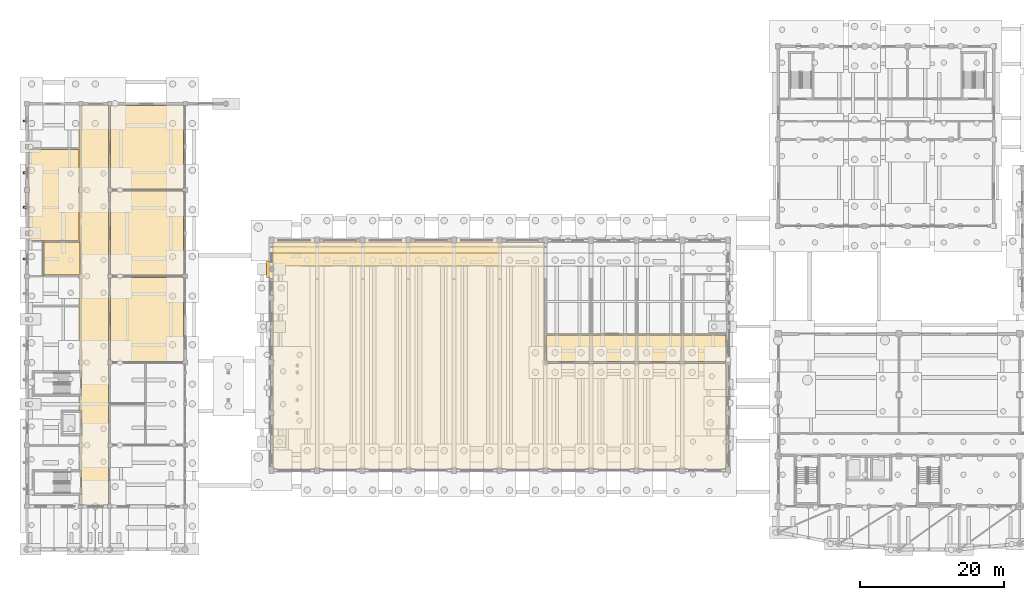
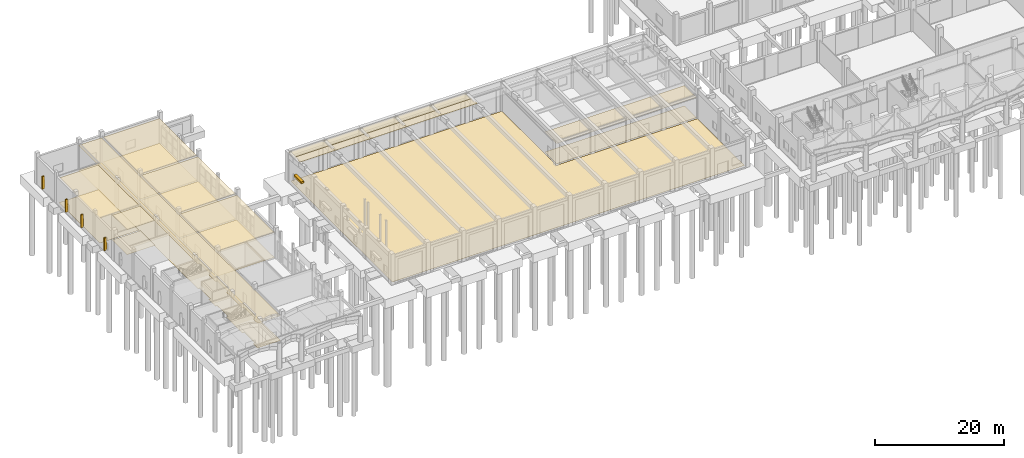
# One storey, part 52 of 60: 25 coverings, 5 shading devices.
"""IFC4 building model written with IfcOpenShell, lengths in metres."""

from ifc_helpers import new_model, si_unit, direction, frame, origin, origin_2d, place, context, subcontext, project, spatial, polyline, rectangle, outline, extrude, material, layer, layer_set, type_object, element, save


model = new_model("IFC4")

# Units and contexts
model_context = context("Model", 3, precision=1e-05, world=origin(), true_north=direction((0.0, 1.0)))
body_context = subcontext(model_context, "Body", "Model", "MODEL_VIEW")
ifc_project = project(units=[si_unit("LENGTHUNIT", "METRE"), si_unit("AREAUNIT", "SQUARE_METRE"), si_unit("VOLUMEUNIT", "CUBIC_METRE"), si_unit("PLANEANGLEUNIT", "RADIAN"), si_unit("MASSUNIT", "GRAM", prefix="KILO")], contexts=[model_context])

# Site, building, storey
site_placement = place(None, origin())
site = spatial("IfcSite", under=ifc_project, at=site_placement, CompositionType="ELEMENT")
building_placement = place(site_placement, origin())
building = spatial("IfcBuilding", under=site, at=building_placement, Name="Trellovar Central Fire Station", CompositionType="ELEMENT")
storey_placement = place(building_placement, origin())
storey = spatial("IfcBuildingStorey", under=building, at=storey_placement, Name="L01", CompositionType="ELEMENT", Elevation=0.0)

# Coverings
ifc_material_1 = material(Name="Perforated acoustic mineral fiber ceiling tile", Category="mineral")
ifc_layer_1 = layer(ifc_material_1, 0.02490234375)
ifc_layer_set_1 = layer_set([ifc_layer_1], Name="Perforated acoustic mineral fiber ceiling tile")
covering_type_1 = type_object("IfcCoveringType", Name="COV-CLG1", PredefinedType="CEILING", material=ifc_layer_set_1)
covering_1_placement = place(storey_placement, frame((0.0, 0.0, 4.679931640625)))
element("IfcCovering", 1, at=covering_1_placement, inside=storey, type_object=covering_type_1, Name="Crew Wing Protected Exit Corridor suspended ceiling", PredefinedType="CEILING", context=body_context, shape_type="SweptSolid", body=[
    extrude(outline(polyline([(12.35009765625, 9.25), (8.25, 9.25), (8.25, 10.639892578125), (8.56005859375, 10.639892578125), (8.56005859375, 13.9599609375), (8.25, 13.9599609375), (8.25, 18.93994140625), (8.56005859375, 18.93994140625), (8.56005859375, 22.260009765625), (8.25, 22.260009765625), (8.25, 24.43994140625), (8.56005859375, 24.43994140625), (8.56005859375, 27.760009765625), (8.25, 27.760009765625), (8.25, 64.75), (12.35009765625, 64.75), (12.35009765625, 9.25)])), origin(), (0.0, 0.0, 1.0), 0.025146484375),
])
covering_2_placement = place(storey_placement, frame((0.0, 0.0, 4.679931640625)))
element("IfcCovering", 2, at=covering_2_placement, inside=storey, type_object=covering_type_1, Name="Turnout Gear Locker Room suspended ceiling", PredefinedType="CEILING", context=body_context, shape_type="SweptSolid", body=[
    extrude(outline(polyline([(22.75, 29.14990234375), (12.64990234375, 29.14990234375), (12.64990234375, 40.85009765625), (22.75, 40.85009765625), (22.75, 29.14990234375)])), origin(), (0.0, 0.0, 1.0), 0.025146484375),
])
covering_3_placement = place(storey_placement, frame((0.0, 0.0, 4.679931640625)))
element("IfcCovering", 3, at=covering_3_placement, inside=storey, type_object=covering_type_1, Name="Firefighter Fitness Conditioning Gym suspended ceiling", PredefinedType="CEILING", context=body_context, shape_type="SweptSolid", body=[
    extrude(outline(polyline([(22.75, 41.14990234375), (12.64990234375, 41.14990234375), (12.64990234375, 52.85009765625), (22.75, 52.85009765625), (22.75, 41.14990234375)])), origin(), (0.0, 0.0, 1.0), 0.025146484375),
])
covering_4_placement = place(storey_placement, frame((0.0, 0.0, 4.679931640625)))
element("IfcCovering", 4, at=covering_4_placement, inside=storey, type_object=covering_type_1, Name="Tactical Briefing and Rehab Room suspended ceiling", PredefinedType="CEILING", context=body_context, shape_type="SweptSolid", body=[
    extrude(outline(polyline([(22.75, 53.14990234375), (12.64990234375, 53.14990234375), (12.64990234375, 64.75), (22.75, 64.75), (22.75, 53.14990234375)])), origin(), (0.0, 0.0, 1.0), 0.025146484375),
])
covering_5_placement = place(storey_placement, frame((0.0, 0.0, 4.679931640625)))
element("IfcCovering", 5, at=covering_5_placement, inside=storey, type_object=covering_type_1, Name="Medical Supply and Triage Store suspended ceiling", PredefinedType="CEILING", context=body_context, shape_type="SweptSolid", body=[
    extrude(outline(polyline([(8.25, 46.0), (1.25, 46.0), (1.25, 58.64990234375), (8.25, 58.64990234375), (8.25, 46.0)])), origin(), (0.0, 0.0, 1.0), 0.025146484375),
])
covering_6_placement = place(storey_placement, frame((0.0, 0.0, 3.830078125)))
element("IfcCovering", 6, at=covering_6_placement, inside=storey, type_object=covering_type_1, Name="North Tail Watch and Bay Corridor suspended ceiling", PredefinedType="CEILING", context=body_context, shape_type="SweptSolid", body=[
    extrude(outline(polyline([(98.25, 29.14990234375), (73.25, 29.14990234375), (73.25, 32.85009765625), (98.25, 32.85009765625), (98.25, 29.14990234375)])), origin(), (0.0, 0.0, 1.0), 0.02490234375),
])
ifc_material_2 = material(Name="Moisture-resistant gypsum ceiling board", Category="gypsum")
ifc_layer_2 = layer(ifc_material_2, 0.030029296875)
ifc_layer_set_2 = layer_set([ifc_layer_2], Name="Moisture-resistant gypsum ceiling board")
covering_type_2 = type_object("IfcCoveringType", Name="COV-CLG2", PredefinedType="CEILING", material=ifc_layer_set_2)
covering_7_placement = place(storey_placement, frame((0.0, 0.0, 4.679931640625)))
element("IfcCovering", 7, at=covering_7_placement, inside=storey, type_object=covering_type_2, Name="Crew Ground Accessible Restroom suspended ceiling", PredefinedType="CEILING", context=body_context, shape_type="SweptSolid", body=[
    extrude(outline(polyline([(8.35009765625, 41.199951171875), (3.35009765625, 41.199951171875), (3.35009765625, 45.800048828125), (8.35009765625, 45.800048828125), (8.35009765625, 41.199951171875)])), origin(), (0.0, 0.0, 1.0), 0.030029296875),
])
ifc_material_3 = material(Name="Heavy-duty slip-resistant quartz epoxy flooring", Category="finish")
ifc_layer_3 = layer(ifc_material_3, 0.014892578125)
ifc_layer_set_3 = layer_set([ifc_layer_3], Name="Heavy-duty slip-resistant quartz epoxy flooring")
covering_type_3 = type_object("IfcCoveringType", Name="COV-FLR1", PredefinedType="FLOORING", material=ifc_layer_set_3)
covering_8_placement = place(storey_placement, origin())
element("IfcCovering", 8, at=covering_8_placement, inside=storey, type_object=covering_type_3, Name="Primary Drive-Through Fire Appliance Hall floor finish", PredefinedType="FLOORING", context=body_context, shape_type="SweptSolid", body=[
    extrude(outline(polyline([(73.050048828125, 28.85009765625), (98.25, 28.85009765625), (98.25, 14.25), (35.25, 14.25), (35.25, 45.75), (73.050048828125, 45.75), (73.050048828125, 28.85009765625)])), origin(), (0.0, 0.0, 1.0), 0.014892578125),
])
ifc_material_4 = material(Name="Vitrified Catalan ceramic floor tile", Category="masonry")
ifc_layer_4 = layer(ifc_material_4, 0.01806640625)
ifc_layer_set_4 = layer_set([ifc_layer_4], Name="Vitrified Catalan ceramic floor tile")
covering_type_4 = type_object("IfcCoveringType", Name="COV-FLR2", PredefinedType="FLOORING", material=ifc_layer_set_4)
covering_9_placement = place(storey_placement, origin())
element("IfcCovering", 9, at=covering_9_placement, inside=storey, type_object=covering_type_4, Name="Crew Wing Protected Exit Corridor floor finish", PredefinedType="FLOORING", context=body_context, shape_type="SweptSolid", body=[
    extrude(outline(polyline([(12.35009765625, 9.25), (8.25, 9.25), (8.25, 10.639892578125), (8.56005859375, 10.639892578125), (8.56005859375, 13.9599609375), (8.25, 13.9599609375), (8.25, 18.93994140625), (8.56005859375, 18.93994140625), (8.56005859375, 22.260009765625), (8.25, 22.260009765625), (8.25, 24.43994140625), (8.56005859375, 24.43994140625), (8.56005859375, 27.760009765625), (8.25, 27.760009765625), (8.25, 64.75), (12.35009765625, 64.75), (12.35009765625, 9.25)])), origin(), (0.0, 0.0, 1.0), 0.01806640625),
])
covering_10_placement = place(storey_placement, origin())
element("IfcCovering", 10, at=covering_10_placement, inside=storey, type_object=covering_type_4, Name="Turnout Gear Locker Room floor finish", PredefinedType="FLOORING", context=body_context, shape_type="SweptSolid", body=[
    extrude(outline(polyline([(22.75, 29.14990234375), (12.64990234375, 29.14990234375), (12.64990234375, 40.85009765625), (22.75, 40.85009765625), (22.75, 29.14990234375)])), origin(), (0.0, 0.0, 1.0), 0.01806640625),
])
covering_11_placement = place(storey_placement, origin())
element("IfcCovering", 11, at=covering_11_placement, inside=storey, type_object=covering_type_4, Name="Crew Ground Accessible Restroom floor finish", PredefinedType="FLOORING", context=body_context, shape_type="SweptSolid", body=[
    extrude(outline(polyline([(8.35009765625, 41.199951171875), (3.35009765625, 41.199951171875), (3.35009765625, 45.800048828125), (8.35009765625, 45.800048828125), (8.35009765625, 41.199951171875)])), origin(), (0.0, 0.0, 1.0), 0.01806640625),
])
covering_12_placement = place(storey_placement, origin())
element("IfcCovering", 12, at=covering_12_placement, inside=storey, type_object=covering_type_4, Name="Medical Supply and Triage Store floor finish", PredefinedType="FLOORING", context=body_context, shape_type="SweptSolid", body=[
    extrude(outline(polyline([(8.25, 46.0), (1.25, 46.0), (1.25, 58.64990234375), (8.25, 58.64990234375), (8.25, 46.0)])), origin(), (0.0, 0.0, 1.0), 0.01806640625),
])
covering_13_placement = place(storey_placement, origin())
element("IfcCovering", 13, at=covering_13_placement, inside=storey, type_object=covering_type_4, Name="North Tail Watch and Bay Corridor floor finish", PredefinedType="FLOORING", context=body_context, shape_type="SweptSolid", body=[
    extrude(outline(polyline([(98.25, 29.14990234375), (73.25, 29.14990234375), (73.25, 32.85009765625), (98.25, 32.85009765625), (98.25, 29.14990234375)])), origin(), (0.0, 0.0, 1.0), 0.01806640625),
])
ifc_material_5 = material(Name="Resilient athletic impact rubber flooring", Category="finish")
ifc_layer_5 = layer(ifc_material_5, 0.02001953125)
ifc_layer_set_5 = layer_set([ifc_layer_5], Name="Resilient athletic impact rubber flooring")
covering_type_5 = type_object("IfcCoveringType", Name="COV-FLR3", PredefinedType="FLOORING", material=ifc_layer_set_5)
covering_14_placement = place(storey_placement, origin())
element("IfcCovering", 14, at=covering_14_placement, inside=storey, type_object=covering_type_5, Name="Firefighter Fitness Conditioning Gym floor finish", PredefinedType="FLOORING", context=body_context, shape_type="SweptSolid", body=[
    extrude(outline(polyline([(22.75, 41.14990234375), (12.64990234375, 41.14990234375), (12.64990234375, 52.85009765625), (22.75, 52.85009765625), (22.75, 41.14990234375)])), origin(), (0.0, 0.0, 1.0), 0.02001953125),
])
covering_15_placement = place(storey_placement, origin())
element("IfcCovering", 15, at=covering_15_placement, inside=storey, type_object=covering_type_5, Name="Tactical Briefing and Rehab Room floor finish", PredefinedType="FLOORING", context=body_context, shape_type="SweptSolid", body=[
    extrude(outline(polyline([(22.75, 53.14990234375), (12.64990234375, 53.14990234375), (12.64990234375, 64.75), (22.75, 64.75), (22.75, 53.14990234375)])), origin(), (0.0, 0.0, 1.0), 0.02001953125),
])
ifc_material_6 = material(Name="Glazed ceramic trencadis roofing", Category="masonry")
ifc_layer_6 = layer(ifc_material_6, 0.06005859375)
ifc_layer_set_6 = layer_set([ifc_layer_6], Name="Glazed ceramic trencadis roofing")
covering_type_6 = type_object("IfcCoveringType", Name="COV-RF1", PredefinedType="ROOFING", material=ifc_layer_set_6)
covering_16_placement = place(storey_placement, frame((35.0, 42.421875, 5.722900390625), z_axis=(0.0, 0.109848847061, 0.993948303887), x_axis=(1.0, 0.0, 0.0)))
element("IfcCovering", 16, at=covering_16_placement, inside=storey, type_object=covering_type_6, Name="Glazed trencadis vault covering V1-01-17", PredefinedType="ROOFING", context=body_context, shape_type="SweptSolid", body=[
    extrude(outline(polyline([(0.0, 0.0), (6.35009765625, 0.0), (6.35009765625, 1.7935689781639053), (0.0, 1.7935689781639053), (0.0, 0.0)])), origin(), (0.0, 0.0, -1.0), 0.06005859375),
])
covering_17_placement = place(storey_placement, frame((35.0, 44.2109375, 5.525390625), z_axis=(0.0, 0.036451169566, 0.999335435296), x_axis=(1.0, 0.0, 0.0)))
element("IfcCovering", 17, at=covering_17_placement, inside=storey, type_object=covering_type_6, Name="Glazed trencadis vault covering V1-01-18", PredefinedType="ROOFING", context=body_context, shape_type="SweptSolid", body=[
    extrude(outline(polyline([(0.0, 0.0), (6.35009765625, 0.0), (6.35009765625, 1.7882978146087087), (0.0, 1.7882978146087087), (0.0, 0.0)])), origin(), (0.0, 0.0, -1.0), 0.06005859375),
])
covering_18_placement = place(storey_placement, frame((41.35009765625, 42.421875, 5.722900390625), z_axis=(0.0, 0.109848847061, 0.993948303887), x_axis=(1.0, 0.0, 0.0)))
element("IfcCovering", 18, at=covering_18_placement, inside=storey, type_object=covering_type_6, Name="Glazed trencadis vault covering V1-02-17", PredefinedType="ROOFING", context=body_context, shape_type="SweptSolid", body=[
    extrude(outline(polyline([(0.0, 0.0), (6.349853515625, 0.0), (6.349853515625, 1.7935689781639055), (0.0, 1.7935689781639055), (0.0, 0.0)])), origin(), (0.0, 0.0, -1.0), 0.06005859375),
])
covering_19_placement = place(storey_placement, frame((41.35009765625, 44.2109375, 5.525390625), z_axis=(0.0, 0.036451169566, 0.999335435296), x_axis=(1.0, 0.0, 0.0)))
element("IfcCovering", 19, at=covering_19_placement, inside=storey, type_object=covering_type_6, Name="Glazed trencadis vault covering V1-02-18", PredefinedType="ROOFING", context=body_context, shape_type="SweptSolid", body=[
    extrude(outline(polyline([(0.0, 0.0), (6.349853515625, 0.0), (6.349853515625, 1.7882978146087087), (0.0, 1.7882978146087087), (0.0, 0.0)])), origin(), (0.0, 0.0, -1.0), 0.06005859375),
])
covering_20_placement = place(storey_placement, frame((47.699951171875, 42.421875, 5.722900390625), z_axis=(0.0, 0.109848847061, 0.993948303887), x_axis=(1.0, 0.0, 0.0)))
element("IfcCovering", 20, at=covering_20_placement, inside=storey, type_object=covering_type_6, Name="Glazed trencadis vault covering V1-03-17", PredefinedType="ROOFING", context=body_context, shape_type="SweptSolid", body=[
    extrude(outline(polyline([(0.0, 0.0), (6.35009765625, 0.0), (6.35009765625, 1.7935689781639053), (0.0, 1.7935689781639053), (0.0, 0.0)])), origin(), (0.0, 0.0, -1.0), 0.06005859375),
])
covering_21_placement = place(storey_placement, frame((47.699951171875, 44.2109375, 5.525390625), z_axis=(0.0, 0.036451169566, 0.999335435296), x_axis=(1.0, 0.0, 0.0)))
element("IfcCovering", 21, at=covering_21_placement, inside=storey, type_object=covering_type_6, Name="Glazed trencadis vault covering V1-03-18", PredefinedType="ROOFING", context=body_context, shape_type="SweptSolid", body=[
    extrude(outline(polyline([(0.0, 0.0), (6.35009765625, 0.0), (6.35009765625, 1.7882978146087087), (0.0, 1.7882978146087087), (0.0, 0.0)])), origin(), (0.0, 0.0, -1.0), 0.06005859375),
])
covering_22_placement = place(storey_placement, frame((54.050048828125, 42.421875, 5.722900390625), z_axis=(0.0, 0.109848847061, 0.993948303887), x_axis=(1.0, 0.0, 0.0)))
element("IfcCovering", 22, at=covering_22_placement, inside=storey, type_object=covering_type_6, Name="Glazed trencadis vault covering V1-04-17", PredefinedType="ROOFING", context=body_context, shape_type="SweptSolid", body=[
    extrude(outline(polyline([(0.0, 0.0), (6.349853515625, 0.0), (6.349853515625, 1.7935689781639055), (0.0, 1.7935689781639055), (0.0, 0.0)])), origin(), (0.0, 0.0, -1.0), 0.06005859375),
])
covering_23_placement = place(storey_placement, frame((54.050048828125, 44.2109375, 5.525390625), z_axis=(0.0, 0.036451169566, 0.999335435296), x_axis=(1.0, 0.0, 0.0)))
element("IfcCovering", 23, at=covering_23_placement, inside=storey, type_object=covering_type_6, Name="Glazed trencadis vault covering V1-04-18", PredefinedType="ROOFING", context=body_context, shape_type="SweptSolid", body=[
    extrude(outline(polyline([(0.0, 0.0), (6.349853515625, 0.0), (6.349853515625, 1.7882978146087087), (0.0, 1.7882978146087087), (0.0, 0.0)])), origin(), (0.0, 0.0, -1.0), 0.06005859375),
])
covering_24_placement = place(storey_placement, frame((60.39990234375, 42.421875, 5.722900390625), z_axis=(0.0, 0.109848847061, 0.993948303887), x_axis=(1.0, 0.0, 0.0)))
element("IfcCovering", 24, at=covering_24_placement, inside=storey, type_object=covering_type_6, Name="Glazed trencadis vault covering V1-05-17", PredefinedType="ROOFING", context=body_context, shape_type="SweptSolid", body=[
    extrude(outline(polyline([(0.0, 0.0), (6.35009765625, 0.0), (6.35009765625, 1.7935689781639053), (0.0, 1.7935689781639053), (0.0, 0.0)])), origin(), (0.0, 0.0, -1.0), 0.06005859375),
])
covering_25_placement = place(storey_placement, frame((60.39990234375, 44.2109375, 5.525390625), z_axis=(0.0, 0.036451169566, 0.999335435296), x_axis=(1.0, 0.0, 0.0)))
element("IfcCovering", 25, at=covering_25_placement, inside=storey, type_object=covering_type_6, Name="Glazed trencadis vault covering V1-05-18", PredefinedType="ROOFING", context=body_context, shape_type="SweptSolid", body=[
    extrude(outline(polyline([(0.0, 0.0), (6.35009765625, 0.0), (6.35009765625, 1.7882978146087087), (0.0, 1.7882978146087087), (0.0, 0.0)])), origin(), (0.0, 0.0, -1.0), 0.06005859375),
])

# Shading devices
ifc_material_7 = material(Name="Glazed ceramic trencadis and terracotta panel", Category="masonry")
shading_device_type_1 = type_object("IfcShadingDeviceType", Name="SHD-LV1", PredefinedType="JALOUSIE", material=ifc_material_7)
shading_device_placement = place(storey_placement, frame((34.554931640625, 42.0, 2.77978515625), z_axis=(0.0, 0.0, 1.0), x_axis=(0.0, 1.0, 0.0)))
element("IfcShadingDevice", 26, at=shading_device_placement, inside=storey, type_object=shading_device_type_1, Name="L01 Catalan solar brise-soleil LV-1", PredefinedType="JALOUSIE", context=body_context, shape_type="SweptSolid", body=[
    extrude(rectangle(XDim=2.300048828125, YDim=0.5, at=origin_2d()), origin(), (0.0, 0.0, 1.0), 0.340087890625),
])
ifc_material_8 = material(Name="Patina bronze wrought metalwork", Category="metal")
shading_device_type_2 = type_object("IfcShadingDeviceType", Name="SHD-LV2", PredefinedType="SHUTTER", material=ifc_material_8)
for number, where, z_axis, x_axis, name in (
    (27, (0.705078125, 43.39990234375, 0.449951171875), (0.0, 0.0, 1.0), (1.0, 0.0, 0.0), "L01 Catalan solar brise-soleil LV-2"),
    (28, (0.705078125, 50.60009765625, 0.449951171875), (0.0, 0.0, 1.0), (1.0, 0.0, 0.0), "L01 Catalan solar brise-soleil LV-2"),
    (29, (0.705078125, 55.39990234375, 0.449951171875), (0.0, 0.0, 1.0), (1.0, 0.0, 0.0), "L01 Catalan solar brise-soleil LV-2"),
    (30, (0.705078125, 62.60009765625, 0.449951171875), (0.0, 0.0, 1.0), (1.0, 0.0, 0.0), "L01 Catalan solar brise-soleil LV-2"),
):
    element("IfcShadingDevice", number, at=place(storey_placement, frame(where, z_axis=z_axis, x_axis=x_axis)), inside=storey, type_object=shading_device_type_2, Name=name, PredefinedType="SHUTTER", context=body_context, shape_type="SweptSolid", body=[
        extrude(rectangle(XDim=0.449951171875, YDim=0.239990234375, at=origin_2d()), origin(), (0.0, 0.0, 1.0), 2.39990234375),
    ])

save(model, "model.ifc")
